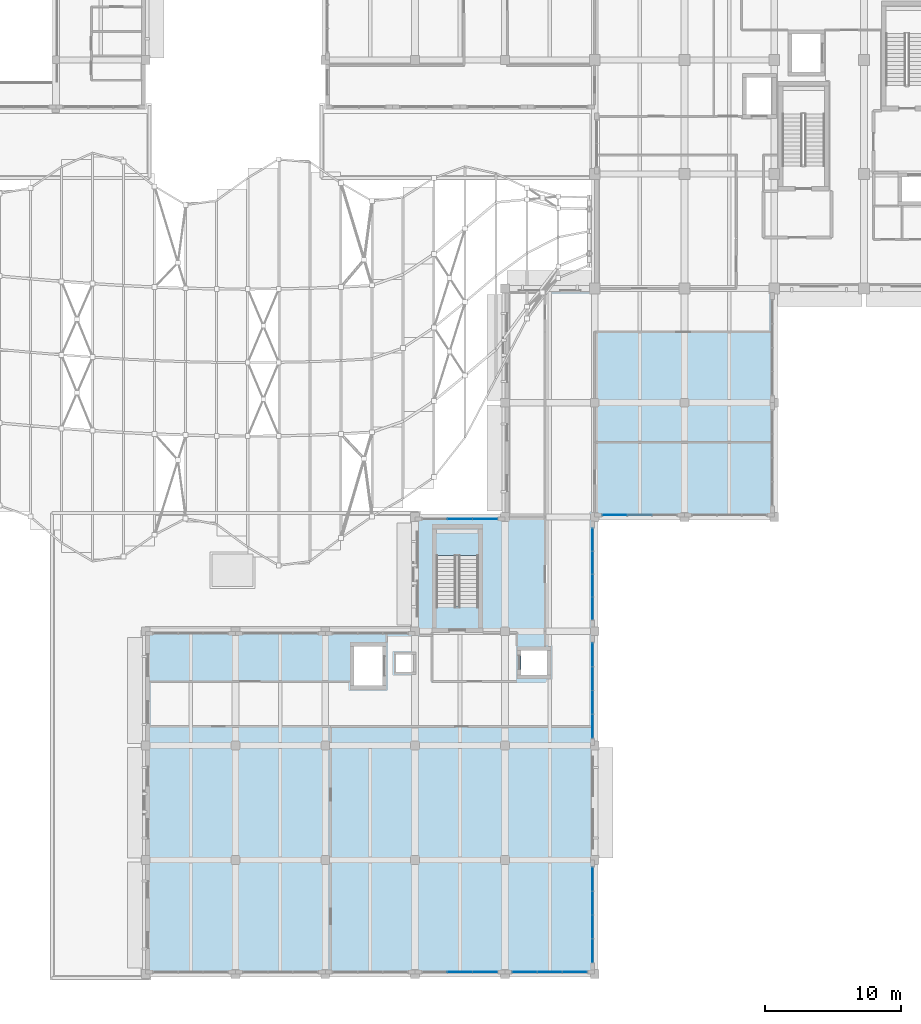
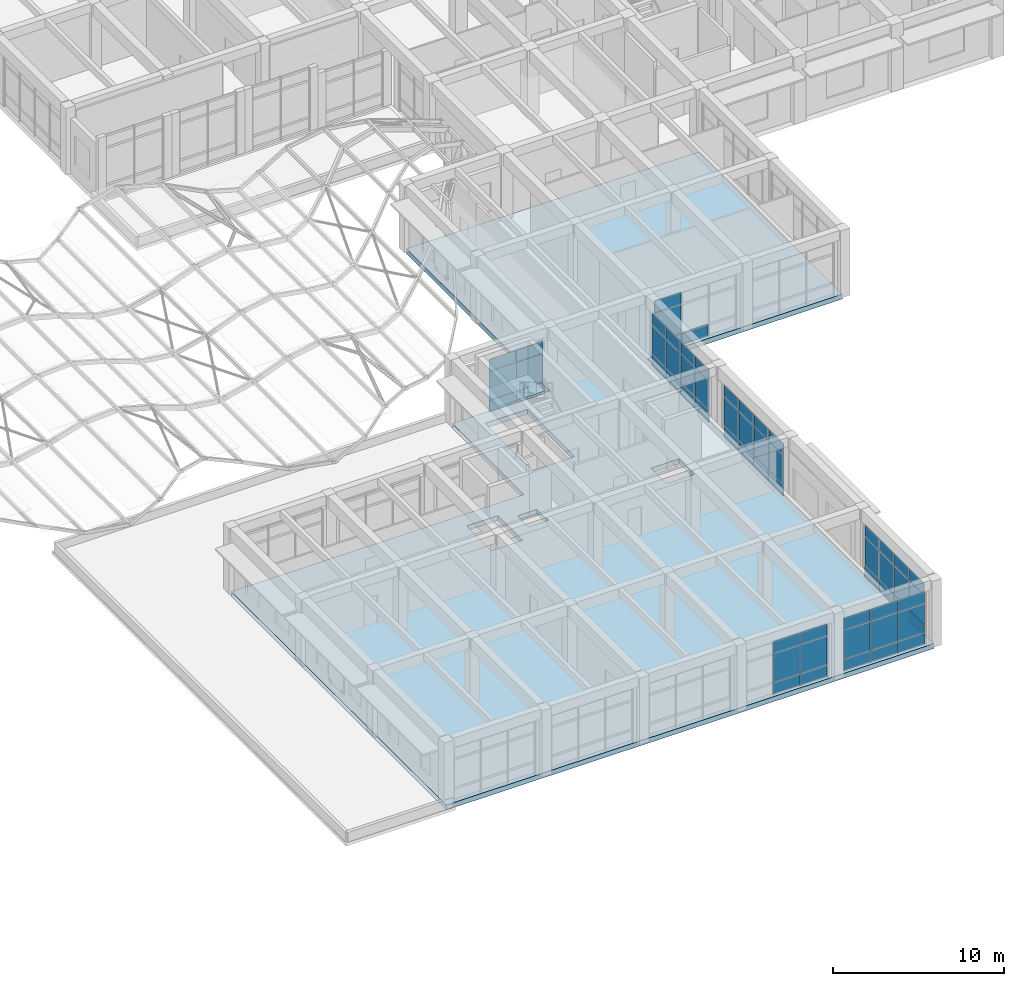
# One storey, part 41 of 79: 61 plates, 2 slabs, 8 elements without a shape of their own.
"""IFC4 building model written with IfcOpenShell, lengths in metres."""

from ifc_helpers import new_model, si_unit, direction, frame, origin, origin_2d, place, context, subcontext, project, spatial, polyline, rectangle, outline, extrude, material, layer, layer_set, type_object, element, aggregate, save


model = new_model("IFC4")

# Units and contexts
model_context = context("Model", 3, precision=1e-05, world=origin(), true_north=direction((0.0, 1.0)))
body_context = subcontext(model_context, "Body", "Model", "MODEL_VIEW")
ifc_project = project(units=[si_unit("LENGTHUNIT", "METRE"), si_unit("AREAUNIT", "SQUARE_METRE"), si_unit("VOLUMEUNIT", "CUBIC_METRE"), si_unit("PLANEANGLEUNIT", "RADIAN"), si_unit("MASSUNIT", "GRAM", prefix="KILO")], contexts=[model_context])

# Site, building, storey
site_placement = place(None, origin())
site = spatial("IfcSite", under=ifc_project, at=site_placement, CompositionType="ELEMENT")
building_placement = place(site_placement, origin())
building = spatial("IfcBuilding", under=site, at=building_placement, Name="Kolvaren Faculty of Natural Sciences", CompositionType="ELEMENT")
storey_placement = place(building_placement, frame((0.0, 0.0, 10.199951171875)))
storey = spatial("IfcBuildingStorey", under=building, at=storey_placement, Name="L02", CompositionType="ELEMENT", Elevation=10.199951171875)

# Curtain wall, plates
ifc_material_1 = material(Name="Thermally broken anodised aluminium framing", Category="aluminium")
ifc_layer_1 = layer(ifc_material_1, 0.179931640625)
ifc_layer_set_1 = layer_set([ifc_layer_1], Name="Thermally broken anodised aluminium framing")
curtain_wall_type_1 = type_object("IfcCurtainWallType", Name="CommonsCurtainWall_CW02", PredefinedType="NOTDEFINED", material=ifc_layer_set_1)
curtain_wall_1_placement = place(storey_placement, origin())
curtain_wall_1 = element("IfcCurtainWall", 1, at=curtain_wall_1_placement, inside=storey, type_object=curtain_wall_type_1, Name="L02 unitised curtain wall CW-02 (CW-L02-083)", PredefinedType="NOTDEFINED")
ifc_material_2 = material(Name="Double low-E solar control insulated glazing", Category="glass")
ifc_layer_2 = layer(ifc_material_2, 0.035888671875)
ifc_layer_set_2 = layer_set([ifc_layer_2], Name="Double low-E solar control insulated glazing")
plate_type_1 = type_object("IfcPlateType", Name="EnvelopePlate_CWPGL1", PredefinedType="CURTAIN_PANEL", material=ifc_layer_set_2)
plate_1_placement = place(storey_placement, frame((128.89990234375, 42.050048828125, 0.920166015625), z_axis=(0.0, 0.0, 1.0), x_axis=(1.0, 0.0, 0.0)))
plate_1 = element("IfcPlate", 2, at=plate_1_placement, type_object=plate_type_1, Name="CW-L02-083 panel 2 V1", PredefinedType="CURTAIN_PANEL", context=body_context, shape_type="SweptSolid", body=[
    extrude(rectangle(XDim=1.783203125, YDim=0.035888671875, at=origin_2d()), origin(), (0.0, 0.0, 1.0), 2.044921875),
])
plate_2_placement = place(storey_placement, frame((130.7333984375, 42.050048828125, 0.920166015625), z_axis=(0.0, 0.0, 1.0), x_axis=(1.0, 0.0, 0.0)))
plate_2 = element("IfcPlate", 3, at=plate_2_placement, type_object=plate_type_1, Name="CW-L02-083 panel 3 V1", PredefinedType="CURTAIN_PANEL", context=body_context, shape_type="SweptSolid", body=[
    extrude(rectangle(XDim=1.783203125, YDim=0.035888671875, at=origin_2d()), origin(), (0.0, 0.0, 1.0), 2.044921875),
])

# Curtain wall, plate
curtain_wall_2_placement = place(storey_placement, origin())
curtain_wall_2 = element("IfcCurtainWall", 4, at=curtain_wall_2_placement, inside=storey, type_object=curtain_wall_type_1, Name="L02 unitised curtain wall CW-02 (CW-L02-107)", PredefinedType="NOTDEFINED")
plate_3_placement = place(storey_placement, frame((140.2666015625, 42.35009765625, 0.920166015625), z_axis=(0.0, 0.0, 1.0), x_axis=(-1.0, 0.0, 0.0)))
plate_3 = element("IfcPlate", 5, at=plate_3_placement, type_object=plate_type_1, Name="CW-L02-107 panel 3 V1", PredefinedType="CURTAIN_PANEL", context=body_context, shape_type="SweptSolid", body=[
    extrude(rectangle(XDim=1.783203125, YDim=0.035888671875, at=origin_2d()), origin(), (0.0, 0.0, 1.0), 2.044921875),
])

# Curtain wall, plates
ifc_layer_3 = layer(ifc_material_1, 0.179931640625)
ifc_layer_set_3 = layer_set([ifc_layer_3], Name="Thermally broken anodised aluminium framing")
curtain_wall_type_2 = type_object("IfcCurtainWallType", Name="TowerNorthCurtainWall_CW03", PredefinedType="NOTDEFINED", material=ifc_layer_set_3)
curtain_wall_3_placement = place(storey_placement, origin())
curtain_wall_3 = element("IfcCurtainWall", 6, at=curtain_wall_3_placement, inside=storey, type_object=curtain_wall_type_2, Name="L02 unitised curtain wall CW-03 (CW-L02-108)", PredefinedType="NOTDEFINED")
plate_4_placement = place(storey_placement, frame((138.64990234375, 40.512451171875, 0.920166015625), z_axis=(0.0, 0.0, 1.0), x_axis=(0.0, -1.0, 0.0)))
plate_4 = element("IfcPlate", 7, at=plate_4_placement, type_object=plate_type_1, Name="CW-L02-108 panel 1 V1", PredefinedType="CURTAIN_PANEL", context=body_context, shape_type="SweptSolid", body=[
    extrude(rectangle(XDim=1.625, YDim=0.035888671875, at=origin_2d()), origin(), (0.0, 0.0, 1.0), 2.044921875),
])
plate_5_placement = place(storey_placement, frame((138.64990234375, 38.83740234375, 0.920166015625), z_axis=(0.0, 0.0, 1.0), x_axis=(0.0, -1.0, 0.0)))
plate_5 = element("IfcPlate", 8, at=plate_5_placement, type_object=plate_type_1, Name="CW-L02-108 panel 2 V1", PredefinedType="CURTAIN_PANEL", context=body_context, shape_type="SweptSolid", body=[
    extrude(rectangle(XDim=1.625, YDim=0.035888671875, at=origin_2d()), origin(), (0.0, 0.0, 1.0), 2.044921875),
])
plate_6_placement = place(storey_placement, frame((138.64990234375, 37.16259765625, 0.920166015625), z_axis=(0.0, 0.0, 1.0), x_axis=(0.0, -1.0, 0.0)))
plate_6 = element("IfcPlate", 9, at=plate_6_placement, type_object=plate_type_1, Name="CW-L02-108 panel 3 V1", PredefinedType="CURTAIN_PANEL", context=body_context, shape_type="SweptSolid", body=[
    extrude(rectangle(XDim=1.625, YDim=0.035888671875, at=origin_2d()), origin(), (0.0, 0.0, 1.0), 2.044921875),
])
plate_7_placement = place(storey_placement, frame((138.64990234375, 35.487548828125, 0.920166015625), z_axis=(0.0, 0.0, 1.0), x_axis=(0.0, -1.0, 0.0)))
plate_7 = element("IfcPlate", 10, at=plate_7_placement, type_object=plate_type_1, Name="CW-L02-108 panel 4 V1", PredefinedType="CURTAIN_PANEL", context=body_context, shape_type="SweptSolid", body=[
    extrude(rectangle(XDim=1.625, YDim=0.035888671875, at=origin_2d()), origin(), (0.0, 0.0, 1.0), 2.044921875),
])

curtain_wall_4_placement = place(storey_placement, origin())
curtain_wall_4 = element("IfcCurtainWall", 11, at=curtain_wall_4_placement, inside=storey, type_object=curtain_wall_type_2, Name="L02 unitised curtain wall CW-03 (CW-L02-109)", PredefinedType="NOTDEFINED")
plate_8_placement = place(storey_placement, frame((138.64990234375, 32.074951171875, 0.920166015625), z_axis=(0.0, 0.0, 1.0), x_axis=(0.0, -1.0, 0.0)))
plate_8 = element("IfcPlate", 12, at=plate_8_placement, type_object=plate_type_1, Name="CW-L02-109 panel 1 V1", PredefinedType="CURTAIN_PANEL", context=body_context, shape_type="SweptSolid", body=[
    extrude(rectangle(XDim=1.699951171875, YDim=0.035888671875, at=origin_2d()), origin(), (0.0, 0.0, 1.0), 2.044921875),
])
plate_9_placement = place(storey_placement, frame((138.64990234375, 30.324951171875, 0.920166015625), z_axis=(0.0, 0.0, 1.0), x_axis=(0.0, -1.0, 0.0)))
plate_9 = element("IfcPlate", 13, at=plate_9_placement, type_object=plate_type_1, Name="CW-L02-109 panel 2 V1", PredefinedType="CURTAIN_PANEL", context=body_context, shape_type="SweptSolid", body=[
    extrude(rectangle(XDim=1.699951171875, YDim=0.035888671875, at=origin_2d()), origin(), (0.0, 0.0, 1.0), 2.044921875),
])
plate_10_placement = place(storey_placement, frame((138.64990234375, 28.574951171875, 0.920166015625), z_axis=(0.0, 0.0, 1.0), x_axis=(0.0, -1.0, 0.0)))
plate_10 = element("IfcPlate", 14, at=plate_10_placement, type_object=plate_type_1, Name="CW-L02-109 panel 3 V1", PredefinedType="CURTAIN_PANEL", context=body_context, shape_type="SweptSolid", body=[
    extrude(rectangle(XDim=1.699951171875, YDim=0.035888671875, at=origin_2d()), origin(), (0.0, 0.0, 1.0), 2.044921875),
])
plate_11_placement = place(storey_placement, frame((138.64990234375, 26.824951171875, 0.920166015625), z_axis=(0.0, 0.0, 1.0), x_axis=(0.0, -1.0, 0.0)))
plate_11 = element("IfcPlate", 15, at=plate_11_placement, type_object=plate_type_1, Name="CW-L02-109 panel 4 V1", PredefinedType="CURTAIN_PANEL", context=body_context, shape_type="SweptSolid", body=[
    extrude(rectangle(XDim=1.699951171875, YDim=0.035888671875, at=origin_2d()), origin(), (0.0, 0.0, 1.0), 2.044921875),
])

curtain_wall_5_placement = place(storey_placement, origin())
curtain_wall_5 = element("IfcCurtainWall", 16, at=curtain_wall_5_placement, inside=storey, type_object=curtain_wall_type_2, Name="L02 unitised curtain wall CW-03 (CW-L02-110)", PredefinedType="NOTDEFINED")
plate_12_placement = place(storey_placement, frame((138.64990234375, 15.574951171875, 0.920166015625), z_axis=(0.0, 0.0, 1.0), x_axis=(0.0, -1.0, 0.0)))
plate_12 = element("IfcPlate", 17, at=plate_12_placement, type_object=plate_type_1, Name="CW-L02-110 panel 1 V1", PredefinedType="CURTAIN_PANEL", context=body_context, shape_type="SweptSolid", body=[
    extrude(rectangle(XDim=1.699951171875, YDim=0.035888671875, at=origin_2d()), origin(), (0.0, 0.0, 1.0), 2.044921875),
])
plate_13_placement = place(storey_placement, frame((138.64990234375, 13.824951171875, 0.920166015625), z_axis=(0.0, 0.0, 1.0), x_axis=(0.0, -1.0, 0.0)))
plate_13 = element("IfcPlate", 18, at=plate_13_placement, type_object=plate_type_1, Name="CW-L02-110 panel 2 V1", PredefinedType="CURTAIN_PANEL", context=body_context, shape_type="SweptSolid", body=[
    extrude(rectangle(XDim=1.699951171875, YDim=0.035888671875, at=origin_2d()), origin(), (0.0, 0.0, 1.0), 2.044921875),
])
plate_14_placement = place(storey_placement, frame((138.64990234375, 12.074951171875, 0.920166015625), z_axis=(0.0, 0.0, 1.0), x_axis=(0.0, -1.0, 0.0)))
plate_14 = element("IfcPlate", 19, at=plate_14_placement, type_object=plate_type_1, Name="CW-L02-110 panel 3 V1", PredefinedType="CURTAIN_PANEL", context=body_context, shape_type="SweptSolid", body=[
    extrude(rectangle(XDim=1.699951171875, YDim=0.035888671875, at=origin_2d()), origin(), (0.0, 0.0, 1.0), 2.044921875),
])
plate_15_placement = place(storey_placement, frame((138.64990234375, 10.324951171875, 0.920166015625), z_axis=(0.0, 0.0, 1.0), x_axis=(0.0, -1.0, 0.0)))
plate_15 = element("IfcPlate", 20, at=plate_15_placement, type_object=plate_type_1, Name="CW-L02-110 panel 4 V1", PredefinedType="CURTAIN_PANEL", context=body_context, shape_type="SweptSolid", body=[
    extrude(rectangle(XDim=1.699951171875, YDim=0.035888671875, at=origin_2d()), origin(), (0.0, 0.0, 1.0), 2.044921875),
])

curtain_wall_6_placement = place(storey_placement, origin())
curtain_wall_6 = element("IfcCurtainWall", 21, at=curtain_wall_6_placement, inside=storey, type_object=curtain_wall_type_1, Name="L02 unitised curtain wall CW-02 (CW-L02-111)", PredefinedType="NOTDEFINED")
plate_16_placement = place(storey_placement, frame((137.333251953125, 8.75, 0.920166015625), z_axis=(0.0, 0.0, 1.0), x_axis=(-1.0, 0.0, 0.0)))
plate_16 = element("IfcPlate", 22, at=plate_16_placement, type_object=plate_type_1, Name="CW-L02-111 panel 1 V1", PredefinedType="CURTAIN_PANEL", context=body_context, shape_type="SweptSolid", body=[
    extrude(rectangle(XDim=1.783203125, YDim=0.035888671875, at=origin_2d()), origin(), (0.0, 0.0, 1.0), 2.044921875),
])
plate_17_placement = place(storey_placement, frame((135.5, 8.75, 0.920166015625), z_axis=(0.0, 0.0, 1.0), x_axis=(-1.0, 0.0, 0.0)))
plate_17 = element("IfcPlate", 23, at=plate_17_placement, type_object=plate_type_1, Name="CW-L02-111 panel 2 V1", PredefinedType="CURTAIN_PANEL", context=body_context, shape_type="SweptSolid", body=[
    extrude(rectangle(XDim=1.783203125, YDim=0.035888671875, at=origin_2d()), origin(), (0.0, 0.0, 1.0), 2.044921875),
])
plate_18_placement = place(storey_placement, frame((133.666748046875, 8.75, 0.920166015625), z_axis=(0.0, 0.0, 1.0), x_axis=(-1.0, 0.0, 0.0)))
plate_18 = element("IfcPlate", 24, at=plate_18_placement, type_object=plate_type_1, Name="CW-L02-111 panel 3 V1", PredefinedType="CURTAIN_PANEL", context=body_context, shape_type="SweptSolid", body=[
    extrude(rectangle(XDim=1.783203125, YDim=0.035888671875, at=origin_2d()), origin(), (0.0, 0.0, 1.0), 2.044921875),
])

curtain_wall_7_placement = place(storey_placement, origin())
curtain_wall_7 = element("IfcCurtainWall", 25, at=curtain_wall_7_placement, inside=storey, type_object=curtain_wall_type_1, Name="L02 unitised curtain wall CW-02 (CW-L02-112)", PredefinedType="NOTDEFINED")
plate_19_placement = place(storey_placement, frame((130.7333984375, 8.75, 0.920166015625), z_axis=(0.0, 0.0, 1.0), x_axis=(-1.0, 0.0, 0.0)))
plate_19 = element("IfcPlate", 26, at=plate_19_placement, type_object=plate_type_1, Name="CW-L02-112 panel 1 V1", PredefinedType="CURTAIN_PANEL", context=body_context, shape_type="SweptSolid", body=[
    extrude(rectangle(XDim=1.783203125, YDim=0.035888671875, at=origin_2d()), origin(), (0.0, 0.0, 1.0), 2.044921875),
])
plate_20_placement = place(storey_placement, frame((128.89990234375, 8.75, 0.920166015625), z_axis=(0.0, 0.0, 1.0), x_axis=(-1.0, 0.0, 0.0)))
plate_20 = element("IfcPlate", 27, at=plate_20_placement, type_object=plate_type_1, Name="CW-L02-112 panel 2 V1", PredefinedType="CURTAIN_PANEL", context=body_context, shape_type="SweptSolid", body=[
    extrude(rectangle(XDim=1.783203125, YDim=0.035888671875, at=origin_2d()), origin(), (0.0, 0.0, 1.0), 2.044921875),
])

# Plate
ifc_layer_4 = layer(ifc_material_2, 0.035888671875)
ifc_layer_set_4 = layer_set([ifc_layer_4], Name="Double low-E solar control insulated glazing")
plate_type_2 = type_object("IfcPlateType", Name="EnvelopePlate_CWPGL2", PredefinedType="CURTAIN_PANEL", material=ifc_layer_set_4)
plate_21_placement = place(storey_placement, frame((128.89990234375, 42.050048828125, 3.005126953125), z_axis=(0.0, 0.0, 1.0), x_axis=(1.0, 0.0, 0.0)))
plate_21 = element("IfcPlate", 28, at=plate_21_placement, type_object=plate_type_2, Name="CW-L02-083 panel 2 V2", PredefinedType="CURTAIN_PANEL", context=body_context, shape_type="SweptSolid", body=[
    extrude(rectangle(XDim=1.783203125, YDim=0.035888671875, at=origin_2d()), origin(), (0.0, 0.0, 1.0), 0.830078125),
])

plate_22_placement = place(storey_placement, frame((130.7333984375, 42.050048828125, 3.005126953125), z_axis=(0.0, 0.0, 1.0), x_axis=(1.0, 0.0, 0.0)))
plate_22 = element("IfcPlate", 29, at=plate_22_placement, type_object=plate_type_2, Name="CW-L02-083 panel 3 V2", PredefinedType="CURTAIN_PANEL", context=body_context, shape_type="SweptSolid", body=[
    extrude(rectangle(XDim=1.783203125, YDim=0.035888671875, at=origin_2d()), origin(), (0.0, 0.0, 1.0), 0.830078125),
])

plate_23_placement = place(storey_placement, frame((140.2666015625, 42.35009765625, 3.005126953125), z_axis=(0.0, 0.0, 1.0), x_axis=(-1.0, 0.0, 0.0)))
plate_23 = element("IfcPlate", 30, at=plate_23_placement, type_object=plate_type_2, Name="CW-L02-107 panel 3 V2", PredefinedType="CURTAIN_PANEL", context=body_context, shape_type="SweptSolid", body=[
    extrude(rectangle(XDim=1.783203125, YDim=0.035888671875, at=origin_2d()), origin(), (0.0, 0.0, 1.0), 0.830078125),
])

plate_24_placement = place(storey_placement, frame((138.64990234375, 40.512451171875, 3.005126953125), z_axis=(0.0, 0.0, 1.0), x_axis=(0.0, -1.0, 0.0)))
plate_24 = element("IfcPlate", 31, at=plate_24_placement, type_object=plate_type_2, Name="CW-L02-108 panel 1 V2", PredefinedType="CURTAIN_PANEL", context=body_context, shape_type="SweptSolid", body=[
    extrude(rectangle(XDim=1.625, YDim=0.035888671875, at=origin_2d()), origin(), (0.0, 0.0, 1.0), 0.830078125),
])

plate_25_placement = place(storey_placement, frame((138.64990234375, 38.83740234375, 3.005126953125), z_axis=(0.0, 0.0, 1.0), x_axis=(0.0, -1.0, 0.0)))
plate_25 = element("IfcPlate", 32, at=plate_25_placement, type_object=plate_type_2, Name="CW-L02-108 panel 2 V2", PredefinedType="CURTAIN_PANEL", context=body_context, shape_type="SweptSolid", body=[
    extrude(rectangle(XDim=1.625, YDim=0.035888671875, at=origin_2d()), origin(), (0.0, 0.0, 1.0), 0.830078125),
])

plate_26_placement = place(storey_placement, frame((138.64990234375, 37.16259765625, 3.005126953125), z_axis=(0.0, 0.0, 1.0), x_axis=(0.0, -1.0, 0.0)))
plate_26 = element("IfcPlate", 33, at=plate_26_placement, type_object=plate_type_2, Name="CW-L02-108 panel 3 V2", PredefinedType="CURTAIN_PANEL", context=body_context, shape_type="SweptSolid", body=[
    extrude(rectangle(XDim=1.625, YDim=0.035888671875, at=origin_2d()), origin(), (0.0, 0.0, 1.0), 0.830078125),
])

plate_27_placement = place(storey_placement, frame((138.64990234375, 35.487548828125, 3.005126953125), z_axis=(0.0, 0.0, 1.0), x_axis=(0.0, -1.0, 0.0)))
plate_27 = element("IfcPlate", 34, at=plate_27_placement, type_object=plate_type_2, Name="CW-L02-108 panel 4 V2", PredefinedType="CURTAIN_PANEL", context=body_context, shape_type="SweptSolid", body=[
    extrude(rectangle(XDim=1.625, YDim=0.035888671875, at=origin_2d()), origin(), (0.0, 0.0, 1.0), 0.830078125),
])

plate_28_placement = place(storey_placement, frame((138.64990234375, 32.074951171875, 3.005126953125), z_axis=(0.0, 0.0, 1.0), x_axis=(0.0, -1.0, 0.0)))
plate_28 = element("IfcPlate", 35, at=plate_28_placement, type_object=plate_type_2, Name="CW-L02-109 panel 1 V2", PredefinedType="CURTAIN_PANEL", context=body_context, shape_type="SweptSolid", body=[
    extrude(rectangle(XDim=1.699951171875, YDim=0.035888671875, at=origin_2d()), origin(), (0.0, 0.0, 1.0), 0.830078125),
])

plate_29_placement = place(storey_placement, frame((138.64990234375, 30.324951171875, 3.005126953125), z_axis=(0.0, 0.0, 1.0), x_axis=(0.0, -1.0, 0.0)))
plate_29 = element("IfcPlate", 36, at=plate_29_placement, type_object=plate_type_2, Name="CW-L02-109 panel 2 V2", PredefinedType="CURTAIN_PANEL", context=body_context, shape_type="SweptSolid", body=[
    extrude(rectangle(XDim=1.699951171875, YDim=0.035888671875, at=origin_2d()), origin(), (0.0, 0.0, 1.0), 0.830078125),
])

plate_30_placement = place(storey_placement, frame((138.64990234375, 28.574951171875, 3.005126953125), z_axis=(0.0, 0.0, 1.0), x_axis=(0.0, -1.0, 0.0)))
plate_30 = element("IfcPlate", 37, at=plate_30_placement, type_object=plate_type_2, Name="CW-L02-109 panel 3 V2", PredefinedType="CURTAIN_PANEL", context=body_context, shape_type="SweptSolid", body=[
    extrude(rectangle(XDim=1.699951171875, YDim=0.035888671875, at=origin_2d()), origin(), (0.0, 0.0, 1.0), 0.830078125),
])

plate_31_placement = place(storey_placement, frame((138.64990234375, 26.824951171875, 3.005126953125), z_axis=(0.0, 0.0, 1.0), x_axis=(0.0, -1.0, 0.0)))
plate_31 = element("IfcPlate", 38, at=plate_31_placement, type_object=plate_type_2, Name="CW-L02-109 panel 4 V2", PredefinedType="CURTAIN_PANEL", context=body_context, shape_type="SweptSolid", body=[
    extrude(rectangle(XDim=1.699951171875, YDim=0.035888671875, at=origin_2d()), origin(), (0.0, 0.0, 1.0), 0.830078125),
])

plate_32_placement = place(storey_placement, frame((138.64990234375, 15.574951171875, 3.005126953125), z_axis=(0.0, 0.0, 1.0), x_axis=(0.0, -1.0, 0.0)))
plate_32 = element("IfcPlate", 39, at=plate_32_placement, type_object=plate_type_2, Name="CW-L02-110 panel 1 V2", PredefinedType="CURTAIN_PANEL", context=body_context, shape_type="SweptSolid", body=[
    extrude(rectangle(XDim=1.699951171875, YDim=0.035888671875, at=origin_2d()), origin(), (0.0, 0.0, 1.0), 0.830078125),
])

plate_33_placement = place(storey_placement, frame((138.64990234375, 13.824951171875, 3.005126953125), z_axis=(0.0, 0.0, 1.0), x_axis=(0.0, -1.0, 0.0)))
plate_33 = element("IfcPlate", 40, at=plate_33_placement, type_object=plate_type_2, Name="CW-L02-110 panel 2 V2", PredefinedType="CURTAIN_PANEL", context=body_context, shape_type="SweptSolid", body=[
    extrude(rectangle(XDim=1.699951171875, YDim=0.035888671875, at=origin_2d()), origin(), (0.0, 0.0, 1.0), 0.830078125),
])

plate_34_placement = place(storey_placement, frame((138.64990234375, 12.074951171875, 3.005126953125), z_axis=(0.0, 0.0, 1.0), x_axis=(0.0, -1.0, 0.0)))
plate_34 = element("IfcPlate", 41, at=plate_34_placement, type_object=plate_type_2, Name="CW-L02-110 panel 3 V2", PredefinedType="CURTAIN_PANEL", context=body_context, shape_type="SweptSolid", body=[
    extrude(rectangle(XDim=1.699951171875, YDim=0.035888671875, at=origin_2d()), origin(), (0.0, 0.0, 1.0), 0.830078125),
])

plate_35_placement = place(storey_placement, frame((138.64990234375, 10.324951171875, 3.005126953125), z_axis=(0.0, 0.0, 1.0), x_axis=(0.0, -1.0, 0.0)))
plate_35 = element("IfcPlate", 42, at=plate_35_placement, type_object=plate_type_2, Name="CW-L02-110 panel 4 V2", PredefinedType="CURTAIN_PANEL", context=body_context, shape_type="SweptSolid", body=[
    extrude(rectangle(XDim=1.699951171875, YDim=0.035888671875, at=origin_2d()), origin(), (0.0, 0.0, 1.0), 0.830078125),
])

plate_36_placement = place(storey_placement, frame((137.333251953125, 8.75, 3.005126953125), z_axis=(0.0, 0.0, 1.0), x_axis=(-1.0, 0.0, 0.0)))
plate_36 = element("IfcPlate", 43, at=plate_36_placement, type_object=plate_type_2, Name="CW-L02-111 panel 1 V2", PredefinedType="CURTAIN_PANEL", context=body_context, shape_type="SweptSolid", body=[
    extrude(rectangle(XDim=1.783203125, YDim=0.035888671875, at=origin_2d()), origin(), (0.0, 0.0, 1.0), 0.830078125),
])

plate_37_placement = place(storey_placement, frame((135.5, 8.75, 3.005126953125), z_axis=(0.0, 0.0, 1.0), x_axis=(-1.0, 0.0, 0.0)))
plate_37 = element("IfcPlate", 44, at=plate_37_placement, type_object=plate_type_2, Name="CW-L02-111 panel 2 V2", PredefinedType="CURTAIN_PANEL", context=body_context, shape_type="SweptSolid", body=[
    extrude(rectangle(XDim=1.783203125, YDim=0.035888671875, at=origin_2d()), origin(), (0.0, 0.0, 1.0), 0.830078125),
])

plate_38_placement = place(storey_placement, frame((133.666748046875, 8.75, 3.005126953125), z_axis=(0.0, 0.0, 1.0), x_axis=(-1.0, 0.0, 0.0)))
plate_38 = element("IfcPlate", 45, at=plate_38_placement, type_object=plate_type_2, Name="CW-L02-111 panel 3 V2", PredefinedType="CURTAIN_PANEL", context=body_context, shape_type="SweptSolid", body=[
    extrude(rectangle(XDim=1.783203125, YDim=0.035888671875, at=origin_2d()), origin(), (0.0, 0.0, 1.0), 0.830078125),
])

plate_39_placement = place(storey_placement, frame((130.7333984375, 8.75, 3.005126953125), z_axis=(0.0, 0.0, 1.0), x_axis=(-1.0, 0.0, 0.0)))
plate_39 = element("IfcPlate", 46, at=plate_39_placement, type_object=plate_type_2, Name="CW-L02-112 panel 1 V2", PredefinedType="CURTAIN_PANEL", context=body_context, shape_type="SweptSolid", body=[
    extrude(rectangle(XDim=1.783203125, YDim=0.035888671875, at=origin_2d()), origin(), (0.0, 0.0, 1.0), 0.830078125),
])

plate_40_placement = place(storey_placement, frame((128.89990234375, 8.75, 3.005126953125), z_axis=(0.0, 0.0, 1.0), x_axis=(-1.0, 0.0, 0.0)))
plate_40 = element("IfcPlate", 47, at=plate_40_placement, type_object=plate_type_2, Name="CW-L02-112 panel 2 V2", PredefinedType="CURTAIN_PANEL", context=body_context, shape_type="SweptSolid", body=[
    extrude(rectangle(XDim=1.783203125, YDim=0.035888671875, at=origin_2d()), origin(), (0.0, 0.0, 1.0), 0.830078125),
])

ifc_material_3 = material(Name="Insulated anodised aluminium spandrel panel", Category="aluminium")
ifc_layer_5 = layer(ifc_material_3, 0.050048828125)
ifc_layer_set_5 = layer_set([ifc_layer_5], Name="Insulated anodised aluminium spandrel panel")
plate_type_3 = type_object("IfcPlateType", Name="EnvelopePlate_CWPSP1", PredefinedType="SHEET", material=ifc_layer_set_5)
plate_41_placement = place(storey_placement, frame((128.89990234375, 42.050048828125, 0.10009765625), z_axis=(0.0, 0.0, 1.0), x_axis=(1.0, 0.0, 0.0)))
plate_41 = element("IfcPlate", 48, at=plate_41_placement, type_object=plate_type_3, Name="CW-L02-083 panel 2 SP", PredefinedType="SHEET", context=body_context, shape_type="SweptSolid", body=[
    extrude(rectangle(XDim=1.783203125, YDim=0.050048828125, at=origin_2d()), origin(), (0.0, 0.0, 1.0), 0.780029296875),
])

plate_42_placement = place(storey_placement, frame((130.7333984375, 42.050048828125, 0.10009765625), z_axis=(0.0, 0.0, 1.0), x_axis=(1.0, 0.0, 0.0)))
plate_42 = element("IfcPlate", 49, at=plate_42_placement, type_object=plate_type_3, Name="CW-L02-083 panel 3 SP", PredefinedType="SHEET", context=body_context, shape_type="SweptSolid", body=[
    extrude(rectangle(XDim=1.783203125, YDim=0.050048828125, at=origin_2d()), origin(), (0.0, 0.0, 1.0), 0.780029296875),
])

aggregate(curtain_wall_1, [plate_41, plate_1, plate_21, plate_42, plate_2, plate_22])

plate_43_placement = place(storey_placement, frame((142.10009765625, 42.35009765625, 0.10009765625), z_axis=(0.0, 0.0, 1.0), x_axis=(-1.0, 0.0, 0.0)))
plate_43 = element("IfcPlate", 50, at=plate_43_placement, type_object=plate_type_3, Name="CW-L02-107 panel 2 SP", PredefinedType="SHEET", context=body_context, shape_type="SweptSolid", body=[
    extrude(rectangle(XDim=1.783203125, YDim=0.050048828125, at=origin_2d()), origin(), (0.0, 0.0, 1.0), 0.780029296875),
])

plate_44_placement = place(storey_placement, frame((140.2666015625, 42.35009765625, 0.10009765625), z_axis=(0.0, 0.0, 1.0), x_axis=(-1.0, 0.0, 0.0)))
plate_44 = element("IfcPlate", 51, at=plate_44_placement, type_object=plate_type_3, Name="CW-L02-107 panel 3 SP", PredefinedType="SHEET", context=body_context, shape_type="SweptSolid", body=[
    extrude(rectangle(XDim=1.783203125, YDim=0.050048828125, at=origin_2d()), origin(), (0.0, 0.0, 1.0), 0.780029296875),
])

aggregate(curtain_wall_2, [plate_43, plate_44, plate_3, plate_23])

plate_45_placement = place(storey_placement, frame((138.64990234375, 40.512451171875, 0.10009765625), z_axis=(0.0, 0.0, 1.0), x_axis=(0.0, -1.0, 0.0)))
plate_45 = element("IfcPlate", 52, at=plate_45_placement, type_object=plate_type_3, Name="CW-L02-108 panel 1 SP", PredefinedType="SHEET", context=body_context, shape_type="SweptSolid", body=[
    extrude(rectangle(XDim=1.625, YDim=0.050048828125, at=origin_2d()), origin(), (0.0, 0.0, 1.0), 0.780029296875),
])

plate_46_placement = place(storey_placement, frame((138.64990234375, 38.83740234375, 0.10009765625), z_axis=(0.0, 0.0, 1.0), x_axis=(0.0, -1.0, 0.0)))
plate_46 = element("IfcPlate", 53, at=plate_46_placement, type_object=plate_type_3, Name="CW-L02-108 panel 2 SP", PredefinedType="SHEET", context=body_context, shape_type="SweptSolid", body=[
    extrude(rectangle(XDim=1.625, YDim=0.050048828125, at=origin_2d()), origin(), (0.0, 0.0, 1.0), 0.780029296875),
])

plate_47_placement = place(storey_placement, frame((138.64990234375, 37.16259765625, 0.10009765625), z_axis=(0.0, 0.0, 1.0), x_axis=(0.0, -1.0, 0.0)))
plate_47 = element("IfcPlate", 54, at=plate_47_placement, type_object=plate_type_3, Name="CW-L02-108 panel 3 SP", PredefinedType="SHEET", context=body_context, shape_type="SweptSolid", body=[
    extrude(rectangle(XDim=1.625, YDim=0.050048828125, at=origin_2d()), origin(), (0.0, 0.0, 1.0), 0.780029296875),
])

plate_48_placement = place(storey_placement, frame((138.64990234375, 35.487548828125, 0.10009765625), z_axis=(0.0, 0.0, 1.0), x_axis=(0.0, -1.0, 0.0)))
plate_48 = element("IfcPlate", 55, at=plate_48_placement, type_object=plate_type_3, Name="CW-L02-108 panel 4 SP", PredefinedType="SHEET", context=body_context, shape_type="SweptSolid", body=[
    extrude(rectangle(XDim=1.625, YDim=0.050048828125, at=origin_2d()), origin(), (0.0, 0.0, 1.0), 0.780029296875),
])

aggregate(curtain_wall_3, [plate_45, plate_4, plate_24, plate_46, plate_5, plate_25, plate_47, plate_6, plate_26, plate_48, plate_7, plate_27])

plate_49_placement = place(storey_placement, frame((138.64990234375, 32.074951171875, 0.10009765625), z_axis=(0.0, 0.0, 1.0), x_axis=(0.0, -1.0, 0.0)))
plate_49 = element("IfcPlate", 56, at=plate_49_placement, type_object=plate_type_3, Name="CW-L02-109 panel 1 SP", PredefinedType="SHEET", context=body_context, shape_type="SweptSolid", body=[
    extrude(rectangle(XDim=1.699951171875, YDim=0.050048828125, at=origin_2d()), origin(), (0.0, 0.0, 1.0), 0.780029296875),
])

plate_50_placement = place(storey_placement, frame((138.64990234375, 30.324951171875, 0.10009765625), z_axis=(0.0, 0.0, 1.0), x_axis=(0.0, -1.0, 0.0)))
plate_50 = element("IfcPlate", 57, at=plate_50_placement, type_object=plate_type_3, Name="CW-L02-109 panel 2 SP", PredefinedType="SHEET", context=body_context, shape_type="SweptSolid", body=[
    extrude(rectangle(XDim=1.699951171875, YDim=0.050048828125, at=origin_2d()), origin(), (0.0, 0.0, 1.0), 0.780029296875),
])

plate_51_placement = place(storey_placement, frame((138.64990234375, 28.574951171875, 0.10009765625), z_axis=(0.0, 0.0, 1.0), x_axis=(0.0, -1.0, 0.0)))
plate_51 = element("IfcPlate", 58, at=plate_51_placement, type_object=plate_type_3, Name="CW-L02-109 panel 3 SP", PredefinedType="SHEET", context=body_context, shape_type="SweptSolid", body=[
    extrude(rectangle(XDim=1.699951171875, YDim=0.050048828125, at=origin_2d()), origin(), (0.0, 0.0, 1.0), 0.780029296875),
])

plate_52_placement = place(storey_placement, frame((138.64990234375, 26.824951171875, 0.10009765625), z_axis=(0.0, 0.0, 1.0), x_axis=(0.0, -1.0, 0.0)))
plate_52 = element("IfcPlate", 59, at=plate_52_placement, type_object=plate_type_3, Name="CW-L02-109 panel 4 SP", PredefinedType="SHEET", context=body_context, shape_type="SweptSolid", body=[
    extrude(rectangle(XDim=1.699951171875, YDim=0.050048828125, at=origin_2d()), origin(), (0.0, 0.0, 1.0), 0.780029296875),
])

aggregate(curtain_wall_4, [plate_49, plate_8, plate_28, plate_50, plate_9, plate_29, plate_51, plate_10, plate_30, plate_52, plate_11, plate_31])

plate_53_placement = place(storey_placement, frame((138.64990234375, 15.574951171875, 0.10009765625), z_axis=(0.0, 0.0, 1.0), x_axis=(0.0, -1.0, 0.0)))
plate_53 = element("IfcPlate", 60, at=plate_53_placement, type_object=plate_type_3, Name="CW-L02-110 panel 1 SP", PredefinedType="SHEET", context=body_context, shape_type="SweptSolid", body=[
    extrude(rectangle(XDim=1.699951171875, YDim=0.050048828125, at=origin_2d()), origin(), (0.0, 0.0, 1.0), 0.780029296875),
])

plate_54_placement = place(storey_placement, frame((138.64990234375, 13.824951171875, 0.10009765625), z_axis=(0.0, 0.0, 1.0), x_axis=(0.0, -1.0, 0.0)))
plate_54 = element("IfcPlate", 61, at=plate_54_placement, type_object=plate_type_3, Name="CW-L02-110 panel 2 SP", PredefinedType="SHEET", context=body_context, shape_type="SweptSolid", body=[
    extrude(rectangle(XDim=1.699951171875, YDim=0.050048828125, at=origin_2d()), origin(), (0.0, 0.0, 1.0), 0.780029296875),
])

plate_55_placement = place(storey_placement, frame((138.64990234375, 12.074951171875, 0.10009765625), z_axis=(0.0, 0.0, 1.0), x_axis=(0.0, -1.0, 0.0)))
plate_55 = element("IfcPlate", 62, at=plate_55_placement, type_object=plate_type_3, Name="CW-L02-110 panel 3 SP", PredefinedType="SHEET", context=body_context, shape_type="SweptSolid", body=[
    extrude(rectangle(XDim=1.699951171875, YDim=0.050048828125, at=origin_2d()), origin(), (0.0, 0.0, 1.0), 0.780029296875),
])

plate_56_placement = place(storey_placement, frame((138.64990234375, 10.324951171875, 0.10009765625), z_axis=(0.0, 0.0, 1.0), x_axis=(0.0, -1.0, 0.0)))
plate_56 = element("IfcPlate", 63, at=plate_56_placement, type_object=plate_type_3, Name="CW-L02-110 panel 4 SP", PredefinedType="SHEET", context=body_context, shape_type="SweptSolid", body=[
    extrude(rectangle(XDim=1.699951171875, YDim=0.050048828125, at=origin_2d()), origin(), (0.0, 0.0, 1.0), 0.780029296875),
])

aggregate(curtain_wall_5, [plate_53, plate_12, plate_32, plate_54, plate_13, plate_33, plate_55, plate_14, plate_34, plate_56, plate_15, plate_35])

plate_57_placement = place(storey_placement, frame((137.333251953125, 8.75, 0.10009765625), z_axis=(0.0, 0.0, 1.0), x_axis=(-1.0, 0.0, 0.0)))
plate_57 = element("IfcPlate", 64, at=plate_57_placement, type_object=plate_type_3, Name="CW-L02-111 panel 1 SP", PredefinedType="SHEET", context=body_context, shape_type="SweptSolid", body=[
    extrude(rectangle(XDim=1.783203125, YDim=0.050048828125, at=origin_2d()), origin(), (0.0, 0.0, 1.0), 0.780029296875),
])

plate_58_placement = place(storey_placement, frame((135.5, 8.75, 0.10009765625), z_axis=(0.0, 0.0, 1.0), x_axis=(-1.0, 0.0, 0.0)))
plate_58 = element("IfcPlate", 65, at=plate_58_placement, type_object=plate_type_3, Name="CW-L02-111 panel 2 SP", PredefinedType="SHEET", context=body_context, shape_type="SweptSolid", body=[
    extrude(rectangle(XDim=1.783203125, YDim=0.050048828125, at=origin_2d()), origin(), (0.0, 0.0, 1.0), 0.780029296875),
])

plate_59_placement = place(storey_placement, frame((133.666748046875, 8.75, 0.10009765625), z_axis=(0.0, 0.0, 1.0), x_axis=(-1.0, 0.0, 0.0)))
plate_59 = element("IfcPlate", 66, at=plate_59_placement, type_object=plate_type_3, Name="CW-L02-111 panel 3 SP", PredefinedType="SHEET", context=body_context, shape_type="SweptSolid", body=[
    extrude(rectangle(XDim=1.783203125, YDim=0.050048828125, at=origin_2d()), origin(), (0.0, 0.0, 1.0), 0.780029296875),
])

aggregate(curtain_wall_6, [plate_57, plate_16, plate_36, plate_58, plate_17, plate_37, plate_59, plate_18, plate_38])

plate_60_placement = place(storey_placement, frame((130.7333984375, 8.75, 0.10009765625), z_axis=(0.0, 0.0, 1.0), x_axis=(-1.0, 0.0, 0.0)))
plate_60 = element("IfcPlate", 67, at=plate_60_placement, type_object=plate_type_3, Name="CW-L02-112 panel 1 SP", PredefinedType="SHEET", context=body_context, shape_type="SweptSolid", body=[
    extrude(rectangle(XDim=1.783203125, YDim=0.050048828125, at=origin_2d()), origin(), (0.0, 0.0, 1.0), 0.780029296875),
])

plate_61_placement = place(storey_placement, frame((128.89990234375, 8.75, 0.10009765625), z_axis=(0.0, 0.0, 1.0), x_axis=(-1.0, 0.0, 0.0)))
plate_61 = element("IfcPlate", 68, at=plate_61_placement, type_object=plate_type_3, Name="CW-L02-112 panel 2 SP", PredefinedType="SHEET", context=body_context, shape_type="SweptSolid", body=[
    extrude(rectangle(XDim=1.783203125, YDim=0.050048828125, at=origin_2d()), origin(), (0.0, 0.0, 1.0), 0.780029296875),
])

aggregate(curtain_wall_7, [plate_60, plate_19, plate_39, plate_61, plate_20, plate_40])

# Stair, slab
ifc_material_4 = material(Name="Concrete C35/45", Category="concrete")
stair_type = type_object("IfcStairType", Name="DoglegStair_H4800", PredefinedType="HALF_TURN_STAIR", material=ifc_material_4)
stair_placement = place(storey_placement, origin())
stair = element("IfcStair", 69, at=stair_placement, inside=storey, type_object=stair_type, Name="L02 Protected exit stair ST-3", PredefinedType="HALF_TURN_STAIR")
ifc_layer_6 = layer(ifc_material_4, 0.199951171875)
ifc_layer_set_6 = layer_set([ifc_layer_6], Name="Concrete C35/45")
slab_type_1 = type_object("IfcSlabType", Name="StairLandingSlab_200", PredefinedType="LANDING", material=ifc_layer_set_6)
slab_1_placement = place(storey_placement, frame((0.0, 0.0, 2.199951171875)))
slab_1 = element("IfcSlab", 70, at=slab_1_placement, type_object=slab_type_1, Name="ST-3 landing 1", PredefinedType="LANDING", context=body_context, shape_type="SweptSolid", body=[
    extrude(outline(polyline([(130.25, 39.385009765625), (130.25, 41.35009765625), (127.14990234375, 41.35009765625), (127.14990234375, 39.385009765625), (130.25, 39.385009765625)])), origin(), (0.0, 0.0, 1.0), 0.2001953125),
])
aggregate(stair, [slab_1])

# Slab
ifc_material_5 = material(Name="Concrete C40/50", Category="concrete")
ifc_layer_7 = layer(ifc_material_5, 0.35009765625)
ifc_layer_set_7 = layer_set([ifc_layer_7], Name="Concrete C40/50")
slab_type_2 = type_object("IfcSlabType", Name="TransferSlab_350", PredefinedType="FLOOR", material=ifc_layer_set_7)
slab_2_placement = place(storey_placement, frame((0.0, 0.0, -0.349853515625)))
element("IfcSlab", 71, at=slab_2_placement, inside=storey, type_object=slab_type_2, Name="L02 V5 structural slab 1", PredefinedType="FLOOR", context=body_context, shape_type="SweptSolid", body=[
    extrude(outline(polyline([(105.800048828125, 8.60009765625), (105.800048828125, 33.800048828125), (125.60009765625, 33.800048828125), (125.60009765625, 42.199951171875), (132.199951171875, 42.199951171875), (132.199951171875, 59.0), (152.0, 59.0), (152.0, 42.199951171875), (138.800048828125, 42.199951171875), (138.800048828125, 33.800048828125), (138.800048828125, 8.60009765625), (105.800048828125, 8.60009765625)]), holes=[polyline([(135.300048828125, 32.39990234375), (133.39990234375, 32.39990234375), (133.39990234375, 30.60009765625), (135.300048828125, 30.60009765625), (135.300048828125, 32.39990234375)]), polyline([(130.1298828125, 41.22998046875), (127.27001953125, 41.22998046875), (127.27001953125, 35.669921875), (130.1298828125, 35.669921875), (130.1298828125, 41.22998046875)]), polyline([(125.5, 32.10009765625), (124.199951171875, 32.10009765625), (124.199951171875, 30.800048828125), (125.5, 30.800048828125), (125.5, 32.10009765625)]), polyline([(123.199951171875, 32.699951171875), (121.10009765625, 32.699951171875), (121.10009765625, 29.800048828125), (123.199951171875, 29.800048828125), (123.199951171875, 32.699951171875)])]), origin(), (0.0, 0.0, 1.0), 0.349853515625),
])

save(model, "model.ifc")
